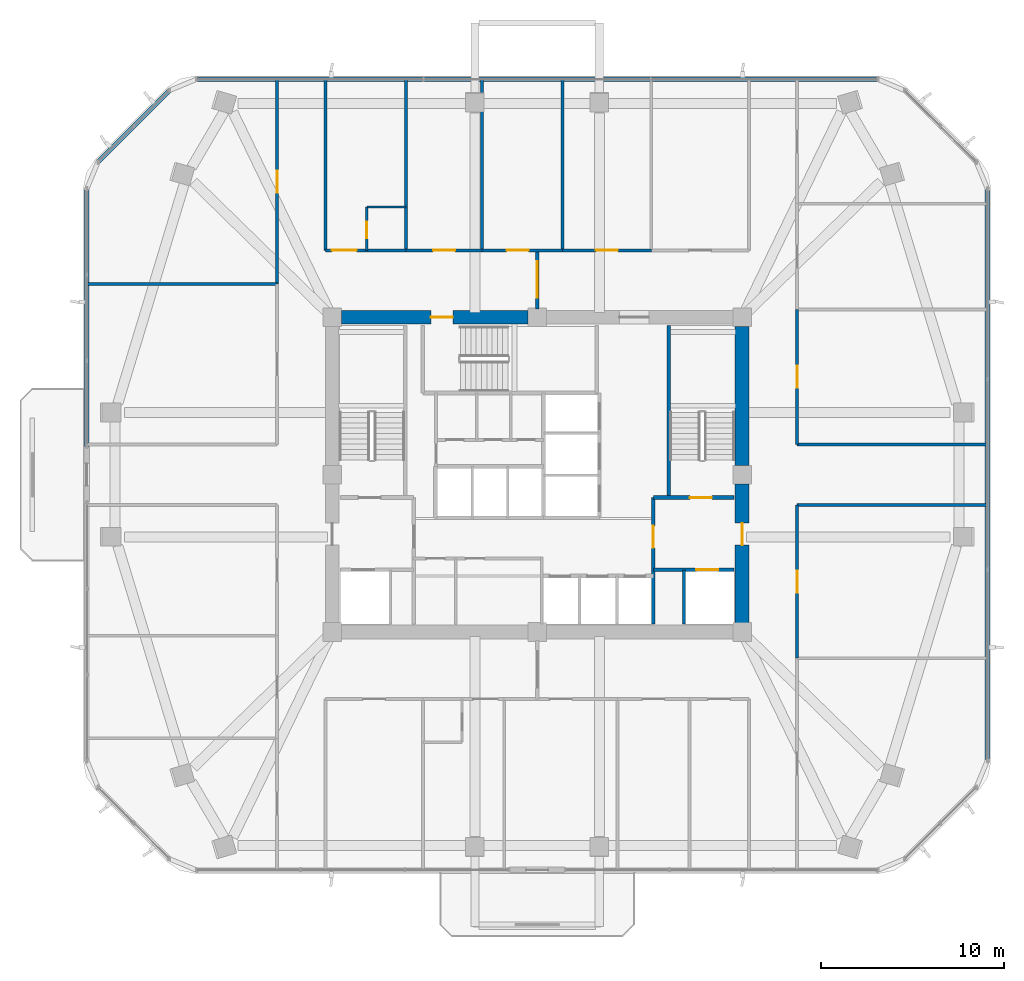
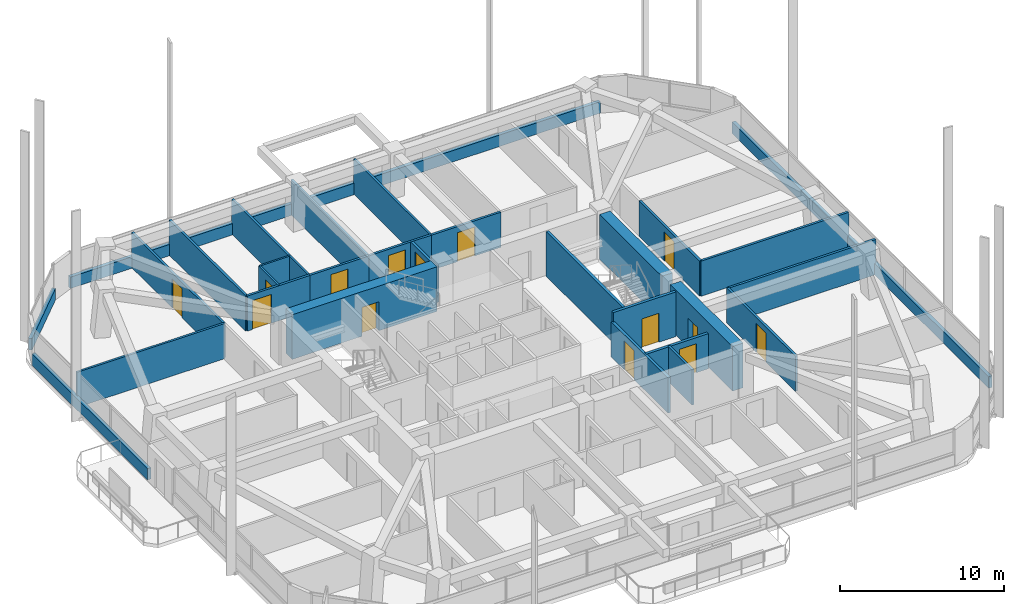
# One storey, part 10 of 15: 29 walls, 14 doors, 14 openings.
"""IFC4 building model written with IfcOpenShell, lengths in metres."""

from ifc_helpers import new_model, si_unit, derived_unit, direction, frame, frame_2d, origin, place, context, subcontext, project, spatial, rectangle, extrude, material, layer, layer_set, type_object, element, fill, save


model = new_model("IFC4")

# Units and contexts
model_context = context("Model", 3, precision=1e-05, world=origin(), true_north=direction((0.0, 1.0)))
body_context = subcontext(model_context, "Body", "Model", "MODEL_VIEW")
ifc_project = project(units=[si_unit("LENGTHUNIT", "METRE"), si_unit("AREAUNIT", "SQUARE_METRE"), si_unit("VOLUMEUNIT", "CUBIC_METRE"), si_unit("PLANEANGLEUNIT", "RADIAN"), si_unit("MASSUNIT", "GRAM", prefix="KILO"), derived_unit("THERMALTRANSMITTANCEUNIT", [(si_unit("POWERUNIT", "WATT"), 1), (si_unit("LENGTHUNIT", "METRE"), -2), (si_unit("THERMODYNAMICTEMPERATUREUNIT", "KELVIN"), -1)])], contexts=[model_context])

# Site, building, storey
site_placement = place(None, origin())
site = spatial("IfcSite", under=ifc_project, at=site_placement, CompositionType="ELEMENT")
building_placement = place(site_placement, origin())
building = spatial("IfcBuilding", under=site, at=building_placement, Name="Koralith Skygarden Medical Center", CompositionType="ELEMENT")
storey_placement = place(building_placement, frame((0.0, 0.0, 113.580078125)))
storey = spatial("IfcBuildingStorey", under=building, at=storey_placement, Name="L29", CompositionType="ELEMENT", Elevation=113.580078125)

# Walls
ifc_material_1 = material(Name="Gypsum Board Partition")
ifc_layer_1 = layer(ifc_material_1, 0.14990234375)
ifc_layer_set_1 = layer_set([ifc_layer_1], Name="Gypsum Board Partition")
wall_type_1 = type_object("IfcWallType", Name="Clinical Acoustic Partition 150", PredefinedType="PARTITIONING", material=ifc_layer_set_1)
for number, where, z_axis, x_axis, name in (
    (1, (29.8330078125, 38.159912109375, 0.0), (0.0, 0.0, 1.0), (0.0, 1.0, 0.0), "L29 Clinical Acoustic Partition 150 W-PART-L29-N-01"),
    (2, (33.993896484375, 38.159912109375, 0.0), (0.0, 0.0, 1.0), (0.0, 1.0, 0.0), "L29 Clinical Acoustic Partition 150 W-PART-L29-N-02"),
    (3, (38.386962890625, 38.159912109375, 0.0), (0.0, 0.0, 1.0), (0.0, 1.0, 0.0), "L29 Clinical Acoustic Partition 150 W-PART-L29-N-03"),
):
    element("IfcWall", number, at=place(storey_placement, frame(where, z_axis=z_axis, x_axis=x_axis)), inside=storey, type_object=wall_type_1, Name=name, PredefinedType="PARTITIONING", context=body_context, shape_type="SweptSolid", body=[
        extrude(rectangle(XDim=9.320068359375, YDim=0.14990234375, at=frame_2d((4.66015625, 0.0))), origin(), (0.0, 0.0, 1.0), 2.60986328125),
    ])
wall_1_placement = place(storey_placement, frame((22.7900390625, 36.324951171875, 0.0), z_axis=(0.0, 0.0, 1.0), x_axis=(-1.0, 0.0, 0.0)))
element("IfcWall", 4, at=wall_1_placement, inside=storey, type_object=wall_type_1, Name="L29 Clinical Acoustic Partition 150 W-PART-L29-WN-01", PredefinedType="PARTITIONING", context=body_context, shape_type="SweptSolid", body=[
    extrude(rectangle(XDim=10.3740234375, YDim=0.14990234375, at=frame_2d((5.18701171875, 0.0))), origin(), (0.0, 0.0, 1.0), 2.60986328125),
])
ifc_layer_2 = layer(ifc_material_1, 0.1650390625)
ifc_layer_set_2 = layer_set([ifc_layer_2], Name="Gypsum Board Partition")
wall_type_2 = type_object("IfcWallType", Name="Clinical Corridor Partition 165", PredefinedType="PARTITIONING", material=ifc_layer_set_2)
wall_2_placement = place(storey_placement, frame((25.429931640625, 38.159912109375, 0.0), z_axis=(0.0, 0.0, 1.0), x_axis=(0.0, 1.0, 0.0)))
element("IfcWall", 5, at=wall_2_placement, inside=storey, type_object=wall_type_2, Name="L29 Clinical Corridor Partition 165 W-HCOR-L29-NW", PredefinedType="PARTITIONING", context=body_context, shape_type="SweptSolid", body=[
    extrude(rectangle(XDim=9.320068359375, YDim=0.1650390625, at=frame_2d((4.66015625, 0.0))), origin(), (0.0, 0.0, 1.0), 2.60986328125),
])
for number, where, z_axis, x_axis, name in (
    (6, (51.2099609375, 24.239990234375, 0.0), (0.0, 0.0, 1.0), (1.0, 0.0, 0.0), "L29 Clinical Corridor Partition 165 W-HCOR-L29-EWS-E"),
    (7, (51.2099609375, 27.56005859375, 0.0), (0.0, 0.0, 1.0), (1.0, 0.0, 0.0), "L29 Clinical Corridor Partition 165 W-HCOR-L29-EWN-E"),
):
    element("IfcWall", number, at=place(storey_placement, frame(where, z_axis=z_axis, x_axis=x_axis)), inside=storey, type_object=wall_type_2, Name=name, PredefinedType="PARTITIONING", context=body_context, shape_type="SweptSolid", body=[
        extrude(rectangle(XDim=10.3740234375, YDim=0.1650390625, at=frame_2d((5.18701171875, 0.0))), origin(), (0.0, 0.0, 1.0), 2.60986328125),
    ])

# Wall, opening, door
wall_3_placement = place(storey_placement, frame((25.429931640625, 38.159912109375, 0.0), z_axis=(0.0, 0.0, 1.0), x_axis=(1.0, 0.0, 0.0)))
wall_3 = element("IfcWall", 8, at=wall_3_placement, inside=storey, type_object=wall_type_2, Name="L29 Clinical Corridor Partition 165 W-CORR-L29-N-01", PredefinedType="PARTITIONING", context=body_context, shape_type="SweptSolid", body=[
    extrude(rectangle(XDim=4.403076171875, YDim=0.1650390625, at=frame_2d((2.20166015625, 0.0))), origin(), (0.0, 0.0, 1.0), 2.60986328125),
])
opening_1_placement = place(wall_3_placement, frame((0.35009765625, 0.0, 0.0)))
opening_1 = element("IfcOpeningElement", 9, at=opening_1_placement, cuts=wall_3, Name="Opening D-BED", PredefinedType="OPENING", context=body_context, shape_type="SweptSolid", body=[
    extrude(rectangle(XDim=1.35009765625, YDim=2.14990234375, at=frame_2d((0.675048828125, 1.074951171875))), frame((0.0, 0.092529296875, 0.0), z_axis=(0.0, -1.0, 0.0), x_axis=(1.0, 0.0, 0.0)), (0.0, 0.0, 1.0), 0.18505859375),
])
ifc_material_2 = material(Name="Aluminium 6063-T6", Category="aluminium")
door_type_1 = type_object("IfcDoorType", Name="Inpatient Bed Leaf Door D-BED 1350", OperationType="NOTDEFINED", PredefinedType="DOOR", material=ifc_material_2)
door_1_placement = place(opening_1_placement, origin())
door_1 = element("IfcDoor", 10, at=door_1_placement, inside=storey, type_object=door_type_1, Name="L29 Inpatient Bedroom 01 Door", OperationType="SINGLE_SWING_RIGHT", OverallHeight=2.14990234375, OverallWidth=1.35009765625, PredefinedType="DOOR", context=body_context, shape_type="SweptSolid", body=[
    extrude(rectangle(XDim=1.35009765625, YDim=2.14990234375, at=frame_2d((0.675048828125, 1.074951171875))), frame((0.0, 0.02490234375, 0.0), z_axis=(0.0, -1.0, 0.0), x_axis=(1.0, 0.0, 0.0)), (0.0, 0.0, 1.0), 0.050048828125),
])
fill(opening_1, door_1)

wall_4_placement = place(storey_placement, frame((29.8330078125, 38.159912109375, 0.0), z_axis=(0.0, 0.0, 1.0), x_axis=(1.0, 0.0, 0.0)))
wall_4 = element("IfcWall", 11, at=wall_4_placement, inside=storey, type_object=wall_type_2, Name="L29 Clinical Corridor Partition 165 W-CORR-L29-N-02", PredefinedType="PARTITIONING", context=body_context, shape_type="SweptSolid", body=[
    extrude(rectangle(XDim=4.160888671875, YDim=0.1650390625, at=frame_2d((2.08056640625, 0.0))), origin(), (0.0, 0.0, 1.0), 2.60986328125),
])
opening_2_placement = place(wall_4_placement, frame((1.48095703125, 0.0, 0.0)))
opening_2 = element("IfcOpeningElement", 12, at=opening_2_placement, cuts=wall_4, Name="Opening D-CLN", PredefinedType="OPENING", context=body_context, shape_type="SweptSolid", body=[
    extrude(rectangle(XDim=1.199951171875, YDim=2.14990234375, at=frame_2d((0.60009765625, 1.074951171875))), frame((0.0, 0.092529296875, 0.0), z_axis=(0.0, -1.0, 0.0), x_axis=(1.0, 0.0, 0.0)), (0.0, 0.0, 1.0), 0.18505859375),
])
door_type_2 = type_object("IfcDoorType", Name="Clinical Corridor Door D-CLN 1200", OperationType="NOTDEFINED", PredefinedType="DOOR", material=ifc_material_2)
door_2_placement = place(opening_2_placement, origin())
door_2 = element("IfcDoor", 13, at=door_2_placement, inside=storey, type_object=door_type_2, Name="L29 Cardiopulmonary Rehab Gym Hall 02 Door", OperationType="SINGLE_SWING_LEFT", OverallHeight=2.14990234375, OverallWidth=1.199951171875, PredefinedType="DOOR", context=body_context, shape_type="SweptSolid", body=[
    extrude(rectangle(XDim=1.199951171875, YDim=2.14990234375, at=frame_2d((0.60009765625, 1.074951171875))), frame((0.0, 0.02490234375, 0.0), z_axis=(0.0, -1.0, 0.0), x_axis=(1.0, 0.0, 0.0)), (0.0, 0.0, 1.0), 0.050048828125),
])
fill(opening_2, door_2)

wall_5_placement = place(storey_placement, frame((33.993896484375, 38.159912109375, 0.0), z_axis=(0.0, 0.0, 1.0), x_axis=(1.0, 0.0, 0.0)))
wall_5 = element("IfcWall", 14, at=wall_5_placement, inside=storey, type_object=wall_type_2, Name="L29 Clinical Corridor Partition 165 W-CORR-L29-N-03", PredefinedType="PARTITIONING", context=body_context, shape_type="SweptSolid", body=[
    extrude(rectangle(XDim=4.39306640625, YDim=0.1650390625, at=frame_2d((2.196533203125, 0.0))), origin(), (0.0, 0.0, 1.0), 2.60986328125),
])
opening_3_placement = place(wall_5_placement, frame((1.344970703125, 0.0, 0.0)))
opening_3 = element("IfcOpeningElement", 15, at=opening_3_placement, cuts=wall_5, Name="Opening D-CLN", PredefinedType="OPENING", context=body_context, shape_type="SweptSolid", body=[
    extrude(rectangle(XDim=1.199951171875, YDim=2.14990234375, at=frame_2d((0.60009765625, 1.074951171875))), frame((0.0, 0.092529296875, 0.0), z_axis=(0.0, -1.0, 0.0), x_axis=(1.0, 0.0, 0.0)), (0.0, 0.0, 1.0), 0.18505859375),
])
door_3_placement = place(opening_3_placement, origin())
door_3 = element("IfcDoor", 16, at=door_3_placement, inside=storey, type_object=door_type_2, Name="L29 Patient Rest Lounge 03 Door", OperationType="SINGLE_SWING_RIGHT", OverallHeight=2.14990234375, OverallWidth=1.199951171875, PredefinedType="DOOR", context=body_context, shape_type="SweptSolid", body=[
    extrude(rectangle(XDim=1.199951171875, YDim=2.14990234375, at=frame_2d((0.60009765625, 1.074951171875))), frame((0.0, 0.02490234375, 0.0), z_axis=(0.0, -1.0, 0.0), x_axis=(1.0, 0.0, 0.0)), (0.0, 0.0, 1.0), 0.050048828125),
])
fill(opening_3, door_3)

wall_6_placement = place(storey_placement, frame((38.386962890625, 38.159912109375, 0.0), z_axis=(0.0, 0.0, 1.0), x_axis=(1.0, 0.0, 0.0)))
wall_6 = element("IfcWall", 17, at=wall_6_placement, inside=storey, type_object=wall_type_2, Name="L29 Clinical Corridor Partition 165 W-CORR-L29-N-04", PredefinedType="PARTITIONING", context=body_context, shape_type="SweptSolid", body=[
    extrude(rectangle(XDim=4.85498046875, YDim=0.1650390625, at=frame_2d((2.427490234375, 0.0))), origin(), (0.0, 0.0, 1.0), 2.60986328125),
])
opening_4_placement = place(wall_6_placement, frame((1.826904296875, 0.0, 0.0)))
opening_4 = element("IfcOpeningElement", 18, at=opening_4_placement, cuts=wall_6, Name="Opening D-CLN", PredefinedType="OPENING", context=body_context, shape_type="SweptSolid", body=[
    extrude(rectangle(XDim=1.199951171875, YDim=2.14990234375, at=frame_2d((0.60009765625, 1.074951171875))), frame((0.0, 0.092529296875, 0.0), z_axis=(0.0, -1.0, 0.0), x_axis=(1.0, 0.0, 0.0)), (0.0, 0.0, 1.0), 0.18505859375),
])
door_4_placement = place(opening_4_placement, origin())
door_4 = element("IfcDoor", 19, at=door_4_placement, inside=storey, type_object=door_type_2, Name="L29 Exercise Physiologist Office 04 Door", OperationType="SINGLE_SWING_LEFT", OverallHeight=2.14990234375, OverallWidth=1.199951171875, PredefinedType="DOOR", context=body_context, shape_type="SweptSolid", body=[
    extrude(rectangle(XDim=1.199951171875, YDim=2.14990234375, at=frame_2d((0.60009765625, 1.074951171875))), frame((0.0, 0.02490234375, 0.0), z_axis=(0.0, -1.0, 0.0), x_axis=(1.0, 0.0, 0.0)), (0.0, 0.0, 1.0), 0.050048828125),
])
fill(opening_4, door_4)

wall_7_placement = place(storey_placement, frame((22.7900390625, 36.324951171875, 0.0), z_axis=(0.0, 0.0, 1.0), x_axis=(0.0, 1.0, 0.0)))
wall_7 = element("IfcWall", 20, at=wall_7_placement, inside=storey, type_object=wall_type_2, Name="L29 Clinical Corridor Partition 165 W-CORR-L29-WN-02", PredefinedType="PARTITIONING", context=body_context, shape_type="SweptSolid", body=[
    extrude(rectangle(XDim=11.155029296875, YDim=0.1650390625, at=frame_2d((5.57763671875, 0.0))), origin(), (0.0, 0.0, 1.0), 2.60986328125),
])
opening_5_placement = place(wall_7_placement, frame((4.97705078125, 0.0, 0.0)))
opening_5 = element("IfcOpeningElement", 21, at=opening_5_placement, cuts=wall_7, Name="Opening D-CLN", PredefinedType="OPENING", context=body_context, shape_type="SweptSolid", body=[
    extrude(rectangle(XDim=1.199951171875, YDim=2.14990234375, at=frame_2d((0.60009765625, 1.074951171875))), frame((0.0, 0.092529296875, 0.0), z_axis=(0.0, -1.0, 0.0), x_axis=(1.0, 0.0, 0.0)), (0.0, 0.0, 1.0), 0.18505859375),
])
door_5_placement = place(opening_5_placement, frame((1.199951171875, 0.0, 0.0), z_axis=(0.0, 0.0, 1.0), x_axis=(-1.0, 0.0, 0.0)))
door_5 = element("IfcDoor", 22, at=door_5_placement, inside=storey, type_object=door_type_2, Name="L29 Clinical Consultation Office 15 Door", OperationType="SINGLE_SWING_RIGHT", OverallHeight=2.14990234375, OverallWidth=1.199951171875, PredefinedType="DOOR", context=body_context, shape_type="SweptSolid", body=[
    extrude(rectangle(XDim=1.199951171875, YDim=2.14990234375, at=frame_2d((0.60009765625, 1.074951171875))), frame((0.0, 0.02490234375, 0.0), z_axis=(0.0, -1.0, 0.0), x_axis=(1.0, 0.0, 0.0)), (0.0, 0.0, 1.0), 0.050048828125),
])
fill(opening_5, door_5)

wall_8_placement = place(storey_placement, frame((51.2099609375, 15.873046875, 0.0), z_axis=(0.0, 0.0, 1.0), x_axis=(0.0, 1.0, 0.0)))
wall_8 = element("IfcWall", 23, at=wall_8_placement, inside=storey, type_object=wall_type_2, Name="L29 Clinical Corridor Partition 165 W-CORR-L29-ES-02", PredefinedType="PARTITIONING", context=body_context, shape_type="SweptSolid", body=[
    extrude(rectangle(XDim=8.366943359375, YDim=0.1650390625, at=frame_2d((4.18359375, 0.0))), origin(), (0.0, 0.0, 1.0), 2.60986328125),
])
opening_6_placement = place(wall_8_placement, frame((3.5830078125, 0.0, 0.0)))
opening_6 = element("IfcOpeningElement", 24, at=opening_6_placement, cuts=wall_8, Name="Opening D-CLN", PredefinedType="OPENING", context=body_context, shape_type="SweptSolid", body=[
    extrude(rectangle(XDim=1.199951171875, YDim=2.14990234375, at=frame_2d((0.60009765625, 1.074951171875))), frame((0.0, 0.092529296875, 0.0), z_axis=(0.0, -1.0, 0.0), x_axis=(1.0, 0.0, 0.0)), (0.0, 0.0, 1.0), 0.18505859375),
])
door_6_placement = place(opening_6_placement, origin())
door_6 = element("IfcDoor", 25, at=door_6_placement, inside=storey, type_object=door_type_2, Name="L29 Patient Rest Lounge 17 Door", OperationType="SINGLE_SWING_RIGHT", OverallHeight=2.14990234375, OverallWidth=1.199951171875, PredefinedType="DOOR", context=body_context, shape_type="SweptSolid", body=[
    extrude(rectangle(XDim=1.199951171875, YDim=2.14990234375, at=frame_2d((0.60009765625, 1.074951171875))), frame((0.0, 0.02490234375, 0.0), z_axis=(0.0, -1.0, 0.0), x_axis=(1.0, 0.0, 0.0)), (0.0, 0.0, 1.0), 0.050048828125),
])
fill(opening_6, door_6)

wall_9_placement = place(storey_placement, frame((51.2099609375, 27.56005859375, 0.0), z_axis=(0.0, 0.0, 1.0), x_axis=(0.0, 1.0, 0.0)))
wall_9 = element("IfcWall", 26, at=wall_9_placement, inside=storey, type_object=wall_type_2, Name="L29 Clinical Corridor Partition 165 W-CORR-L29-EN-01", PredefinedType="PARTITIONING", context=body_context, shape_type="SweptSolid", body=[
    extrude(rectangle(XDim=7.362060546875, YDim=0.1650390625, at=frame_2d((3.68115234375, 0.0))), origin(), (0.0, 0.0, 1.0), 2.60986328125),
])
opening_7_placement = place(wall_9_placement, frame((3.0810546875, 0.0, 0.0)))
opening_7 = element("IfcOpeningElement", 27, at=opening_7_placement, cuts=wall_9, Name="Opening D-CLN", PredefinedType="OPENING", context=body_context, shape_type="SweptSolid", body=[
    extrude(rectangle(XDim=1.199951171875, YDim=2.14990234375, at=frame_2d((0.60009765625, 1.074951171875))), frame((0.0, 0.092529296875, 0.0), z_axis=(0.0, -1.0, 0.0), x_axis=(1.0, 0.0, 0.0)), (0.0, 0.0, 1.0), 0.18505859375),
])
door_7_placement = place(opening_7_placement, origin())
door_7 = element("IfcDoor", 28, at=door_7_placement, inside=storey, type_object=door_type_2, Name="L29 Exercise Physiologist Office 18 Door", OperationType="SINGLE_SWING_LEFT", OverallHeight=2.14990234375, OverallWidth=1.199951171875, PredefinedType="DOOR", context=body_context, shape_type="SweptSolid", body=[
    extrude(rectangle(XDim=1.199951171875, YDim=2.14990234375, at=frame_2d((0.60009765625, 1.074951171875))), frame((0.0, 0.02490234375, 0.0), z_axis=(0.0, -1.0, 0.0), x_axis=(1.0, 0.0, 0.0)), (0.0, 0.0, 1.0), 0.050048828125),
])
fill(opening_7, door_7)

ifc_layer_3 = layer(ifc_material_1, 0.199951171875)
ifc_layer_set_3 = layer_set([ifc_layer_3], Name="Gypsum Board Partition")
wall_type_3 = type_object("IfcWallType", Name="Fire Shaft Wall 200", PredefinedType="SOLIDWALL", material=ifc_layer_set_3)
wall_10_placement = place(storey_placement, frame((43.35009765625, 20.699951171875, 0.0), z_axis=(0.0, 0.0, 1.0), x_axis=(1.0, 0.0, 0.0)))
wall_10 = element("IfcWall", 29, at=wall_10_placement, inside=storey, type_object=wall_type_3, Name="L29 Fire Shaft Wall 200 W-CORE-L29-FF2-N", PredefinedType="SOLIDWALL", context=body_context, shape_type="SweptSolid", body=[
    extrude(rectangle(XDim=4.39990234375, YDim=0.199951171875, at=frame_2d((2.199951171875, 0.0))), origin(), (0.0, 0.0, 1.0), 2.60986328125),
])
opening_8_placement = place(wall_10_placement, frame((2.35009765625, 0.0, 0.0)))
opening_8 = element("IfcOpeningElement", 30, at=opening_8_placement, cuts=wall_10, Name="Opening LD-FF", PredefinedType="OPENING", context=body_context, shape_type="SweptSolid", body=[
    extrude(rectangle(XDim=1.199951171875, YDim=2.14990234375, at=frame_2d((0.60009765625, 1.074951171875))), frame((0.0, 0.10986328125, 0.0), z_axis=(0.0, -1.0, 0.0), x_axis=(1.0, 0.0, 0.0)), (0.0, 0.0, 1.0), 0.219970703125),
])
ifc_material_3 = material(Name="Steel ASTM A500 Grade C", Category="steel")
door_type_3 = type_object("IfcDoorType", Name="Fire Lift Sliding Landing Door LD-FF 1200", OperationType="NOTDEFINED", PredefinedType="DOOR", material=ifc_material_3)
door_8_placement = place(opening_8_placement, origin())
door_8 = element("IfcDoor", 31, at=door_8_placement, inside=storey, type_object=door_type_3, Name="L29 Fire Service Elevator FF2 Landing Door", OperationType="SLIDING_TO_RIGHT", OverallHeight=2.14990234375, OverallWidth=1.199951171875, PredefinedType="DOOR", context=body_context, shape_type="SweptSolid", body=[
    extrude(rectangle(XDim=1.199951171875, YDim=2.14990234375, at=frame_2d((0.60009765625, 1.074951171875))), frame((0.0, 0.02490234375, 0.0), z_axis=(0.0, -1.0, 0.0), x_axis=(1.0, 0.0, 0.0)), (0.0, 0.0, 1.0), 0.050048828125),
])
fill(opening_8, door_8)

wall_11_placement = place(storey_placement, frame((43.35009765625, 17.75, 0.0), z_axis=(0.0, 0.0, 1.0), x_axis=(0.0, 1.0, 0.0)))
wall_11 = element("IfcWall", 32, at=wall_11_placement, inside=storey, type_object=wall_type_3, Name="L29 Fire Shaft Wall 200 W-CORE-L29-FSAEE-W", PredefinedType="SOLIDWALL", context=body_context, shape_type="SweptSolid", body=[
    extrude(rectangle(XDim=6.89990234375, YDim=0.199951171875, at=frame_2d((3.449951171875, 0.0))), origin(), (0.0, 0.0, 1.0), 2.60986328125),
])
opening_9_placement = place(wall_11_placement, frame((4.14990234375, 0.0, 0.0)))
opening_9 = element("IfcOpeningElement", 33, at=opening_9_placement, cuts=wall_11, Name="Opening D-ST60", PredefinedType="OPENING", context=body_context, shape_type="SweptSolid", body=[
    extrude(rectangle(XDim=1.199951171875, YDim=2.14990234375, at=frame_2d((0.60009765625, 1.074951171875))), frame((0.0, 0.10986328125, 0.0), z_axis=(0.0, -1.0, 0.0), x_axis=(1.0, 0.0, 0.0)), (0.0, 0.0, 1.0), 0.219970703125),
])
door_type_4 = type_object("IfcDoorType", Name="Smokeproof Stair Fire Door FD60S 1200", OperationType="NOTDEFINED", PredefinedType="DOOR", material=ifc_material_3)
door_9_placement = place(opening_9_placement, frame((1.199951171875, 0.0, 0.0), z_axis=(0.0, 0.0, 1.0), x_axis=(-1.0, 0.0, 0.0)))
door_9 = element("IfcDoor", 34, at=door_9_placement, inside=storey, type_object=door_type_4, Name="L29 East Firefighting Lobby Inner Fire Door", OperationType="SINGLE_SWING_RIGHT", OverallHeight=2.14990234375, OverallWidth=1.199951171875, PredefinedType="DOOR", context=body_context, shape_type="SweptSolid", body=[
    extrude(rectangle(XDim=1.199951171875, YDim=2.14990234375, at=frame_2d((0.60009765625, 1.074951171875))), frame((0.0, 0.02490234375, 0.0), z_axis=(0.0, -1.0, 0.0), x_axis=(1.0, 0.0, 0.0)), (0.0, 0.0, 1.0), 0.050048828125),
])
fill(opening_9, door_9)

ifc_layer_4 = layer(ifc_material_1, 0.179931640625)
ifc_layer_set_4 = layer_set([ifc_layer_4], Name="Gypsum Board Partition")
wall_type_4 = type_object("IfcWallType", Name="Group I-2 Smoke Barrier Wall 180", PredefinedType="PARTITIONING", material=ifc_layer_set_4)
wall_12_placement = place(storey_placement, frame((37.0, 34.949951171875, 0.0), z_axis=(0.0, 0.0, 1.0), x_axis=(0.0, 1.0, 0.0)))
wall_12 = element("IfcWall", 35, at=wall_12_placement, inside=storey, type_object=wall_type_4, Name="L29 Group I-2 Smoke Barrier Wall 180 W-SMK-L29-N", PredefinedType="PARTITIONING", context=body_context, shape_type="SweptSolid", body=[
    extrude(rectangle(XDim=3.2099609375, YDim=0.179931640625, at=frame_2d((1.60498046875, 0.0))), origin(), (0.0, 0.0, 1.0), 2.60986328125),
])
opening_10_placement = place(wall_12_placement, frame((0.60498046875, 0.0, 0.0)))
opening_10 = element("IfcOpeningElement", 36, at=opening_10_placement, cuts=wall_12, Name="Opening D-SMK", PredefinedType="OPENING", context=body_context, shape_type="SweptSolid", body=[
    extrude(rectangle(XDim=2.0, YDim=2.199951171875, at=frame_2d((1.0, 1.10009765625))), frame((0.0, 0.099853515625, 0.0), z_axis=(0.0, -1.0, 0.0), x_axis=(1.0, 0.0, 0.0)), (0.0, 0.0, 1.0), 0.199951171875),
])
door_type_5 = type_object("IfcDoorType", Name="Cross-Corridor Double Smoke Door FD60S 2000", OperationType="NOTDEFINED", PredefinedType="DOOR", material=ifc_material_3)
door_10_placement = place(opening_10_placement, origin())
door_10 = element("IfcDoor", 37, at=door_10_placement, inside=storey, type_object=door_type_5, Name="L29 N Smoke Compartment Cross-Corridor Door", OperationType="DOUBLE_DOOR_SINGLE_SWING", OverallHeight=2.199951171875, OverallWidth=2.0, PredefinedType="DOOR", context=body_context, shape_type="SweptSolid", body=[
    extrude(rectangle(XDim=2.0, YDim=2.199951171875, at=frame_2d((1.0, 1.10009765625))), frame((0.0, 0.02490234375, 0.0), z_axis=(0.0, -1.0, 0.0), x_axis=(1.0, 0.0, 0.0)), (0.0, 0.0, 1.0), 0.050048828125),
])
fill(opening_10, door_10)

# Walls
ifc_material_4 = material(Name="Warm Oolitic Limestone Cladding", Category="masonry")
ifc_layer_5 = layer(ifc_material_4, 0.239990234375)
ifc_layer_set_5 = layer_set([ifc_layer_5], Name="Warm Oolitic Limestone Cladding")
wall_type_5 = type_object("IfcWallType", Name="Limestone Spandrel Sill Backup Wall 240", PredefinedType="SOLIDWALL", material=ifc_layer_set_5)
wall_13_placement = place(storey_placement, frame((61.60400390625, 10.27490234375, 0.0), z_axis=(0.0, 0.0, 1.0), x_axis=(0.0, 1.0, 0.0)))
element("IfcWall", 38, at=wall_13_placement, inside=storey, type_object=wall_type_5, Name="L29 Sill Spandrel E", PredefinedType="SOLIDWALL", context=body_context, shape_type="SweptSolid", body=[
    extrude(rectangle(XDim=31.25, YDim=0.239990234375, at=frame_2d((15.625, 0.0))), origin(), (0.0, 0.0, 1.0), 0.849853515625),
])
wall_14_placement = place(storey_placement, frame((55.62890625, 47.5009765625, 0.0), z_axis=(0.0, 0.0, 1.0), x_axis=(-1.0, 0.0, 0.0)))
element("IfcWall", 39, at=wall_14_placement, inside=storey, type_object=wall_type_5, Name="L29 Sill Spandrel N", PredefinedType="SOLIDWALL", context=body_context, shape_type="SweptSolid", body=[
    extrude(rectangle(XDim=37.2578125, YDim=0.239990234375, at=frame_2d((18.62890625, 0.0))), origin(), (0.0, 0.0, 1.0), 0.849853515625),
])
wall_15_placement = place(storey_placement, frame((16.919921875, 46.89892578125, 0.0), z_axis=(0.0, 0.0, 1.0), x_axis=(-0.707106781187, -0.707106781187, 0.0)))
element("IfcWall", 40, at=wall_15_placement, inside=storey, type_object=wall_type_5, Name="L29 Sill Spandrel NW", PredefinedType="SOLIDWALL", context=body_context, shape_type="SweptSolid", body=[
    extrude(rectangle(XDim=5.5478515625, YDim=0.239990234375, at=frame_2d((2.77392578125, 0.0))), origin(), (0.0, 0.0, 1.0), 0.849853515625),
])
wall_16_placement = place(storey_placement, frame((12.39599609375, 41.52490234375, 0.0), z_axis=(0.0, 0.0, 1.0), x_axis=(0.0, -1.0, 0.0)))
element("IfcWall", 41, at=wall_16_placement, inside=storey, type_object=wall_type_5, Name="L29 Sill Spandrel W-L", PredefinedType="SOLIDWALL", context=body_context, shape_type="SweptSolid", body=[
    extrude(rectangle(XDim=14.0849609375, YDim=0.239990234375, at=frame_2d((7.04248046875, 0.0))), origin(), (0.0, 0.0, 1.0), 0.849853515625),
])

# Wall, opening, door
ifc_material_5 = material(Name="Concrete C70/85", Category="concrete")
ifc_layer_6 = layer(ifc_material_5, 0.75)
ifc_layer_set_6 = layer_set([ifc_layer_6], Name="Concrete C70/85")
wall_type_6 = type_object("IfcWallType", Name="Mid Core Shear Wall 750", PredefinedType="SHEAR", material=ifc_layer_set_6)
wall_17_placement = place(storey_placement, frame((48.199951171875, 17.804931640625, 0.0), z_axis=(0.0, 0.0, 1.0), x_axis=(0.0, 1.0, 0.0)))
wall_17 = element("IfcWall", 42, at=wall_17_placement, inside=storey, type_object=wall_type_6, Name="L29 Core Shear Wall Segment 3", PredefinedType="SHEAR", context=body_context, shape_type="SweptSolid", body=[
    extrude(rectangle(XDim=7.590087890625, YDim=0.75, at=frame_2d((3.794921875, 0.0))), origin(), (0.0, 0.0, 1.0), 3.31982421875),
])
opening_11_placement = place(wall_17_placement, frame((4.2451171875, 0.0, 0.0)))
opening_11 = element("IfcOpeningElement", 43, at=opening_11_placement, cuts=wall_17, Name="Opening D-ST60", PredefinedType="OPENING", context=body_context, shape_type="SweptSolid", body=[
    extrude(rectangle(XDim=1.199951171875, YDim=2.14990234375, at=frame_2d((0.60009765625, 1.074951171875))), frame((0.0, 0.385009765625, 0.0), z_axis=(0.0, -1.0, 0.0), x_axis=(1.0, 0.0, 0.0)), (0.0, 0.0, 1.0), 0.77001953125),
])
door_11_placement = place(opening_11_placement, frame((1.199951171875, 0.0, 0.0), z_axis=(0.0, 0.0, 1.0), x_axis=(-1.0, 0.0, 0.0)))
door_11 = element("IfcDoor", 44, at=door_11_placement, inside=storey, type_object=door_type_4, Name="L29 East Corridor to Firefighting Lobby Door", OperationType="SINGLE_SWING_RIGHT", OverallHeight=2.14990234375, OverallWidth=1.199951171875, PredefinedType="DOOR", context=body_context, shape_type="SweptSolid", body=[
    extrude(rectangle(XDim=1.199951171875, YDim=2.14990234375, at=frame_2d((0.60009765625, 1.074951171875))), frame((0.0, 0.02490234375, 0.0), z_axis=(0.0, -1.0, 0.0), x_axis=(1.0, 0.0, 0.0)), (0.0, 0.0, 1.0), 0.050048828125),
])
fill(opening_11, door_11)

# Wall
wall_18_placement = place(storey_placement, frame((48.199951171875, 26.405029296875, 0.0), z_axis=(0.0, 0.0, 1.0), x_axis=(0.0, 1.0, 0.0)))
element("IfcWall", 45, at=wall_18_placement, inside=storey, type_object=wall_type_6, Name="L29 Core Shear Wall Segment 4", PredefinedType="SHEAR", context=body_context, shape_type="SweptSolid", body=[
    extrude(rectangle(XDim=7.590087890625, YDim=0.75, at=frame_2d((3.794921875, 0.0))), origin(), (0.0, 0.0, 1.0), 3.31982421875),
])

# Wall, opening, door
wall_19_placement = place(storey_placement, frame((36.4951171875, 34.5, 0.0), z_axis=(0.0, 0.0, 1.0), x_axis=(-1.0, 0.0, 0.0)))
wall_19 = element("IfcWall", 46, at=wall_19_placement, inside=storey, type_object=wall_type_6, Name="L29 Core Shear Wall Segment 6", PredefinedType="SHEAR", context=body_context, shape_type="SweptSolid", body=[
    extrude(rectangle(XDim=10.190185546875, YDim=0.75, at=frame_2d((5.09521484375, 0.0))), origin(), (0.0, 0.0, 1.0), 3.31982421875),
])
opening_12_placement = place(wall_19_placement, frame((4.094970703125, 0.0, 0.0)))
opening_12 = element("IfcOpeningElement", 47, at=opening_12_placement, cuts=wall_19, Name="Opening D-ST60", PredefinedType="OPENING", context=body_context, shape_type="SweptSolid", body=[
    extrude(rectangle(XDim=1.199951171875, YDim=2.14990234375, at=frame_2d((0.60009765625, 1.074951171875))), frame((0.0, 0.385009765625, 0.0), z_axis=(0.0, -1.0, 0.0), x_axis=(1.0, 0.0, 0.0)), (0.0, 0.0, 1.0), 0.77001953125),
])
door_12_placement = place(opening_12_placement, frame((1.199951171875, 0.0, 0.0), z_axis=(0.0, 0.0, 1.0), x_axis=(-1.0, 0.0, 0.0)))
door_12 = element("IfcDoor", 48, at=door_12_placement, inside=storey, type_object=door_type_4, Name="L29 Exit Stair ST3 Fire Door", OperationType="SINGLE_SWING_LEFT", OverallHeight=2.14990234375, OverallWidth=1.199951171875, PredefinedType="DOOR", context=body_context, shape_type="SweptSolid", body=[
    extrude(rectangle(XDim=1.199951171875, YDim=2.14990234375, at=frame_2d((0.60009765625, 1.074951171875))), frame((0.0, 0.02490234375, 0.0), z_axis=(0.0, -1.0, 0.0), x_axis=(1.0, 0.0, 0.0)), (0.0, 0.0, 1.0), 0.050048828125),
])
fill(opening_12, door_12)

ifc_layer_7 = layer(ifc_material_1, 0.1201171875)
ifc_layer_set_7 = layer_set([ifc_layer_7], Name="Gypsum Board Partition")
wall_type_7 = type_object("IfcWallType", Name="Plumbing Wet Wall 120", PredefinedType="PLUMBINGWALL", material=ifc_layer_set_7)
wall_20_placement = place(storey_placement, frame((27.693115234375, 38.159912109375, 0.0), z_axis=(0.0, 0.0, 1.0), x_axis=(0.0, 1.0, 0.0)))
wall_20 = element("IfcWall", 49, at=wall_20_placement, inside=storey, type_object=wall_type_7, Name="L29 Plumbing Wet Wall 120 W-ENS-L29-01A", PredefinedType="PLUMBINGWALL", context=body_context, shape_type="SweptSolid", body=[
    extrude(rectangle(XDim=2.360107421875, YDim=0.1201171875, at=frame_2d((1.18017578125, 0.0))), origin(), (0.0, 0.0, 1.0), 2.60986328125),
])
opening_13_placement = place(wall_20_placement, frame((0.64990234375, 0.0, 0.0)))
opening_13 = element("IfcOpeningElement", 50, at=opening_13_placement, cuts=wall_20, Name="Opening D-ENS", PredefinedType="OPENING", context=body_context, shape_type="SweptSolid", body=[
    extrude(rectangle(XDim=0.89990234375, YDim=2.10009765625, at=frame_2d((0.449951171875, 1.050048828125))), frame((0.0, 0.070068359375, 0.0), z_axis=(0.0, -1.0, 0.0), x_axis=(1.0, 0.0, 0.0)), (0.0, 0.0, 1.0), 0.14013671875),
])
door_type_6 = type_object("IfcDoorType", Name="En-Suite Bathroom Door D-ENS 900", OperationType="NOTDEFINED", PredefinedType="DOOR", material=ifc_material_2)
door_13_placement = place(opening_13_placement, origin())
door_13 = element("IfcDoor", 51, at=door_13_placement, inside=storey, type_object=door_type_6, Name="L29 En-Suite 01 Door", OperationType="SINGLE_SWING_RIGHT", OverallHeight=2.10009765625, OverallWidth=0.89990234375, PredefinedType="DOOR", context=body_context, shape_type="SweptSolid", body=[
    extrude(rectangle(XDim=0.89990234375, YDim=2.10009765625, at=frame_2d((0.449951171875, 1.050048828125))), frame((0.0, 0.02490234375, 0.0), z_axis=(0.0, -1.0, 0.0), x_axis=(1.0, 0.0, 0.0)), (0.0, 0.0, 1.0), 0.050048828125),
])
fill(opening_13, door_13)

# Walls
wall_21_placement = place(storey_placement, frame((27.693115234375, 40.52001953125, 0.0), z_axis=(0.0, 0.0, 1.0), x_axis=(1.0, 0.0, 0.0)))
element("IfcWall", 52, at=wall_21_placement, inside=storey, type_object=wall_type_7, Name="L29 Plumbing Wet Wall 120 W-ENS-L29-01B", PredefinedType="PLUMBINGWALL", context=body_context, shape_type="SweptSolid", body=[
    extrude(rectangle(XDim=2.139892578125, YDim=0.1201171875, at=frame_2d((1.06982421875, 0.0))), origin(), (0.0, 0.0, 1.0), 2.60986328125),
])
ifc_layer_8 = layer(ifc_material_1, 0.14990234375)
ifc_layer_set_8 = layer_set([ifc_layer_8], Name="Gypsum Board Partition")
wall_type_8 = type_object("IfcWallType", Name="Shaft Partition Wall 150", PredefinedType="PARTITIONING", material=ifc_layer_set_8)
wall_22_placement = place(storey_placement, frame((45.02001953125, 17.75, 0.0), z_axis=(0.0, 0.0, 1.0), x_axis=(0.0, 1.0, 0.0)))
element("IfcWall", 53, at=wall_22_placement, inside=storey, type_object=wall_type_8, Name="L29 Shaft Partition Wall 150 W-CORE-L29-RSRE-DIV", PredefinedType="PARTITIONING", context=body_context, shape_type="SweptSolid", body=[
    extrude(rectangle(XDim=2.949951171875, YDim=0.14990234375, at=frame_2d((1.47509765625, 0.0))), origin(), (0.0, 0.0, 1.0), 2.60986328125),
])
ifc_material_6 = material(Name="Concrete C45/55", Category="concrete")
ifc_layer_9 = layer(ifc_material_6, 0.199951171875)
ifc_layer_set_9 = layer_set([ifc_layer_9], Name="Concrete C45/55")
wall_type_9 = type_object("IfcWallType", Name="Structural Stair Shaft Wall 200", PredefinedType="SHEAR", material=ifc_layer_set_9)
wall_23_placement = place(storey_placement, frame((44.199951171875, 24.64990234375, 0.0), z_axis=(0.0, 0.0, 1.0), x_axis=(0.0, 1.0, 0.0)))
element("IfcWall", 54, at=wall_23_placement, inside=storey, type_object=wall_type_9, Name="L29 Structural Stair Shaft Wall 200 W-CORE-L29-ST2-W", PredefinedType="SHEAR", context=body_context, shape_type="SweptSolid", body=[
    extrude(rectangle(XDim=9.400146484375, YDim=0.199951171875, at=frame_2d((4.7001953125, 0.0))), origin(), (0.0, 0.0, 1.0), 3.31982421875),
])

# Wall, opening, door
wall_24_placement = place(storey_placement, frame((43.35009765625, 24.64990234375, 0.0), z_axis=(0.0, 0.0, 1.0), x_axis=(1.0, 0.0, 0.0)))
wall_24 = element("IfcWall", 55, at=wall_24_placement, inside=storey, type_object=wall_type_9, Name="L29 Structural Stair Shaft Wall 200 W-CORE-L29-ST2-S", PredefinedType="SHEAR", context=body_context, shape_type="SweptSolid", body=[
    extrude(rectangle(XDim=4.39990234375, YDim=0.199951171875, at=frame_2d((2.199951171875, 0.0))), origin(), (0.0, 0.0, 1.0), 3.31982421875),
])
opening_14_placement = place(wall_24_placement, frame((2.0, 0.0, 0.0)))
opening_14 = element("IfcOpeningElement", 56, at=opening_14_placement, cuts=wall_24, Name="Opening D-ST60", PredefinedType="OPENING", context=body_context, shape_type="SweptSolid", body=[
    extrude(rectangle(XDim=1.199951171875, YDim=2.14990234375, at=frame_2d((0.60009765625, 1.074951171875))), frame((0.0, 0.10986328125, 0.0), z_axis=(0.0, -1.0, 0.0), x_axis=(1.0, 0.0, 0.0)), (0.0, 0.0, 1.0), 0.219970703125),
])
door_14_placement = place(opening_14_placement, origin())
door_14 = element("IfcDoor", 57, at=door_14_placement, inside=storey, type_object=door_type_4, Name="L29 Exit Stair ST2 Fire Door", OperationType="SINGLE_SWING_RIGHT", OverallHeight=2.14990234375, OverallWidth=1.199951171875, PredefinedType="DOOR", context=body_context, shape_type="SweptSolid", body=[
    extrude(rectangle(XDim=1.199951171875, YDim=2.14990234375, at=frame_2d((0.60009765625, 1.074951171875))), frame((0.0, 0.02490234375, 0.0), z_axis=(0.0, -1.0, 0.0), x_axis=(1.0, 0.0, 0.0)), (0.0, 0.0, 1.0), 0.050048828125),
])
fill(opening_14, door_14)

save(model, "model.ifc")
